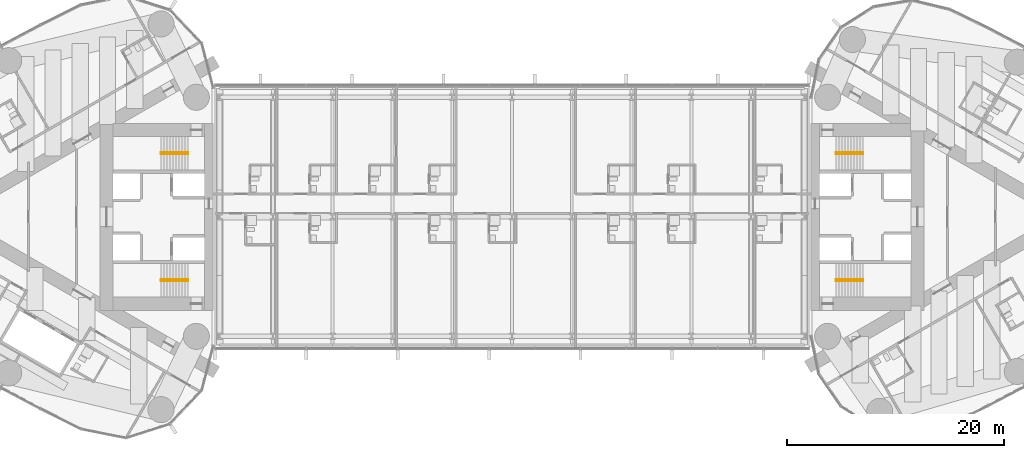
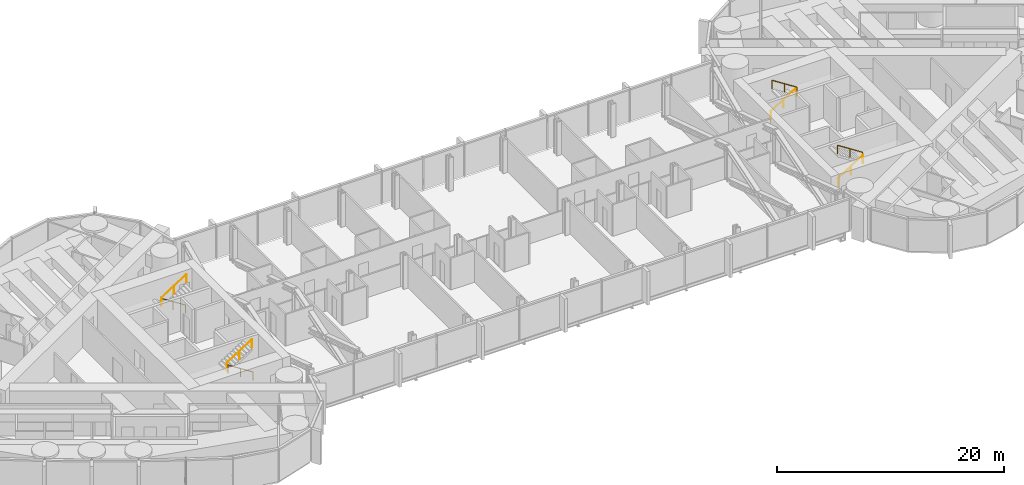
# One storey, part 21 of 22: 8 railings.
"""IFC4 building model written with IfcOpenShell, lengths in metres."""

from ifc_helpers import new_model, si_unit, direction, frame, origin, origin_2d, place, context, subcontext, project, spatial, circle, extrude, material, type_object, element, save


model = new_model("IFC4")

# Units and contexts
model_context = context("Model", 3, precision=1e-05, world=origin(), true_north=direction((0.0, 1.0)))
body_context = subcontext(model_context, "Body", "Model", "MODEL_VIEW")
ifc_project = project(units=[si_unit("LENGTHUNIT", "METRE"), si_unit("AREAUNIT", "SQUARE_METRE"), si_unit("VOLUMEUNIT", "CUBIC_METRE"), si_unit("PLANEANGLEUNIT", "RADIAN"), si_unit("MASSUNIT", "GRAM", prefix="KILO")], contexts=[model_context])

# Site, building, storey
site_placement = place(None, origin())
site = spatial("IfcSite", under=ifc_project, at=site_placement, CompositionType="ELEMENT")
building_placement = place(site_placement, origin())
building = spatial("IfcBuilding", under=site, at=building_placement, Name="Lancet Gate Hotel", CompositionType="ELEMENT")
storey_placement = place(building_placement, frame((0.0, 0.0, 229.699951171875)))
storey = spatial("IfcBuildingStorey", under=building, at=storey_placement, Name="L61", CompositionType="ELEMENT", Elevation=229.699951171875)

# Railings
ifc_material = material(Name="Stainless steel handrail", Category="steel")
railing_type = type_object("IfcRailingType", Name="Stair handrail 900", PredefinedType="HANDRAIL", material=ifc_material)
railing_1_placement = place(storey_placement, frame((-29.800048828125, 5.929931640625, 0.179931640625)))
element("IfcRailing", 1, at=railing_1_placement, inside=storey, type_object=railing_type, Name="ST1 handrail flight 1 L61", PredefinedType="HANDRAIL", context=body_context, shape_type="SweptSolid", body=[
    extrude(circle(Radius=0.02392578125, at=origin_2d()), frame((0.0, 0.0, 0.8759765625), z_axis=(-0.841162588446, 0.0, 0.540782303519), x_axis=(0.0, -1.0, 0.0)), (0.0, 0.0, 1.0), 2.995849609375),
    extrude(circle(Radius=0.02099609375, at=origin_2d()), origin(), (0.0, 0.0, 1.0), 0.851806640625),
    extrude(circle(Radius=0.02099609375, at=origin_2d()), frame((-1.260009765625, 0.0, 0.81005859375)), (0.0, 0.0, 1.0), 0.851806640625),
    extrude(circle(Radius=0.02099609375, at=origin_2d()), frame((-2.52001953125, 0.0, 1.6201171875)), (0.0, 0.0, 1.0), 0.851806640625),
])
railing_2_placement = place(storey_placement, frame((-32.320068359375, 5.77001953125, 1.97998046875)))
element("IfcRailing", 2, at=railing_2_placement, inside=storey, type_object=railing_type, Name="ST1 handrail flight 2 L61", PredefinedType="HANDRAIL", context=body_context, shape_type="SweptSolid", body=[
    extrude(circle(Radius=0.02392578125, at=origin_2d()), frame((0.0, 0.0, 0.8759765625), z_axis=(0.841162588446, 0.0, 0.540782303519), x_axis=(0.0, 1.0, 0.0)), (0.0, 0.0, 1.0), 2.995849609375),
    extrude(circle(Radius=0.02099609375, at=origin_2d()), origin(), (0.0, 0.0, 1.0), 0.851806640625),
    extrude(circle(Radius=0.02099609375, at=origin_2d()), frame((1.260009765625, 0.0, 0.81005859375)), (0.0, 0.0, 1.0), 0.851806640625),
    extrude(circle(Radius=0.02099609375, at=origin_2d()), frame((2.52001953125, 0.0, 1.6201171875)), (0.0, 0.0, 1.0), 0.851806640625),
])
railing_3_placement = place(storey_placement, frame((-29.800048828125, -5.929931640625, 0.179931640625)))
element("IfcRailing", 3, at=railing_3_placement, inside=storey, type_object=railing_type, Name="ST2 handrail flight 1 L61", PredefinedType="HANDRAIL", context=body_context, shape_type="SweptSolid", body=[
    extrude(circle(Radius=0.02392578125, at=origin_2d()), frame((0.0, 0.0, 0.8759765625), z_axis=(-0.841162588446, 0.0, 0.540782303519), x_axis=(0.0, -1.0, 0.0)), (0.0, 0.0, 1.0), 2.995849609375),
    extrude(circle(Radius=0.02099609375, at=origin_2d()), origin(), (0.0, 0.0, 1.0), 0.851806640625),
    extrude(circle(Radius=0.02099609375, at=origin_2d()), frame((-1.260009765625, 0.0, 0.81005859375)), (0.0, 0.0, 1.0), 0.851806640625),
    extrude(circle(Radius=0.02099609375, at=origin_2d()), frame((-2.52001953125, 0.0, 1.6201171875)), (0.0, 0.0, 1.0), 0.851806640625),
])
for number, where, name in (
    (4, (-32.320068359375, -5.77001953125, 1.97998046875), "ST2 handrail flight 2 L61"),
    (5, (29.800048828125, -5.929931640625, 0.179931640625), "ST3 handrail flight 1 L61"),
):
    element("IfcRailing", number, at=place(storey_placement, frame(where)), inside=storey, type_object=railing_type, Name=name, PredefinedType="HANDRAIL", context=body_context, shape_type="SweptSolid", body=[
        extrude(circle(Radius=0.02392578125, at=origin_2d()), frame((0.0, 0.0, 0.8759765625), z_axis=(0.841162588446, 0.0, 0.540782303519), x_axis=(0.0, 1.0, 0.0)), (0.0, 0.0, 1.0), 2.995849609375),
        extrude(circle(Radius=0.02099609375, at=origin_2d()), origin(), (0.0, 0.0, 1.0), 0.851806640625),
        extrude(circle(Radius=0.02099609375, at=origin_2d()), frame((1.260009765625, 0.0, 0.81005859375)), (0.0, 0.0, 1.0), 0.851806640625),
        extrude(circle(Radius=0.02099609375, at=origin_2d()), frame((2.52001953125, 0.0, 1.6201171875)), (0.0, 0.0, 1.0), 0.851806640625),
    ])
railing_4_placement = place(storey_placement, frame((32.320068359375, -5.77001953125, 1.97998046875)))
element("IfcRailing", 6, at=railing_4_placement, inside=storey, type_object=railing_type, Name="ST3 handrail flight 2 L61", PredefinedType="HANDRAIL", context=body_context, shape_type="SweptSolid", body=[
    extrude(circle(Radius=0.02392578125, at=origin_2d()), frame((0.0, 0.0, 0.8759765625), z_axis=(-0.841162588446, 0.0, 0.540782303519), x_axis=(0.0, -1.0, 0.0)), (0.0, 0.0, 1.0), 2.995849609375),
    extrude(circle(Radius=0.02099609375, at=origin_2d()), origin(), (0.0, 0.0, 1.0), 0.851806640625),
    extrude(circle(Radius=0.02099609375, at=origin_2d()), frame((-1.260009765625, 0.0, 0.81005859375)), (0.0, 0.0, 1.0), 0.851806640625),
    extrude(circle(Radius=0.02099609375, at=origin_2d()), frame((-2.52001953125, 0.0, 1.6201171875)), (0.0, 0.0, 1.0), 0.851806640625),
])
railing_5_placement = place(storey_placement, frame((29.800048828125, 5.929931640625, 0.179931640625)))
element("IfcRailing", 7, at=railing_5_placement, inside=storey, type_object=railing_type, Name="ST4 handrail flight 1 L61", PredefinedType="HANDRAIL", context=body_context, shape_type="SweptSolid", body=[
    extrude(circle(Radius=0.02392578125, at=origin_2d()), frame((0.0, 0.0, 0.8759765625), z_axis=(0.841162588446, 0.0, 0.540782303519), x_axis=(0.0, 1.0, 0.0)), (0.0, 0.0, 1.0), 2.995849609375),
    extrude(circle(Radius=0.02099609375, at=origin_2d()), origin(), (0.0, 0.0, 1.0), 0.851806640625),
    extrude(circle(Radius=0.02099609375, at=origin_2d()), frame((1.260009765625, 0.0, 0.81005859375)), (0.0, 0.0, 1.0), 0.851806640625),
    extrude(circle(Radius=0.02099609375, at=origin_2d()), frame((2.52001953125, 0.0, 1.6201171875)), (0.0, 0.0, 1.0), 0.851806640625),
])
railing_6_placement = place(storey_placement, frame((32.320068359375, 5.77001953125, 1.97998046875)))
element("IfcRailing", 8, at=railing_6_placement, inside=storey, type_object=railing_type, Name="ST4 handrail flight 2 L61", PredefinedType="HANDRAIL", context=body_context, shape_type="SweptSolid", body=[
    extrude(circle(Radius=0.02392578125, at=origin_2d()), frame((0.0, 0.0, 0.8759765625), z_axis=(-0.841162588446, 0.0, 0.540782303519), x_axis=(0.0, -1.0, 0.0)), (0.0, 0.0, 1.0), 2.995849609375),
    extrude(circle(Radius=0.02099609375, at=origin_2d()), origin(), (0.0, 0.0, 1.0), 0.851806640625),
    extrude(circle(Radius=0.02099609375, at=origin_2d()), frame((-1.260009765625, 0.0, 0.81005859375)), (0.0, 0.0, 1.0), 0.851806640625),
    extrude(circle(Radius=0.02099609375, at=origin_2d()), frame((-2.52001953125, 0.0, 1.6201171875)), (0.0, 0.0, 1.0), 0.851806640625),
])

save(model, "model.ifc")
